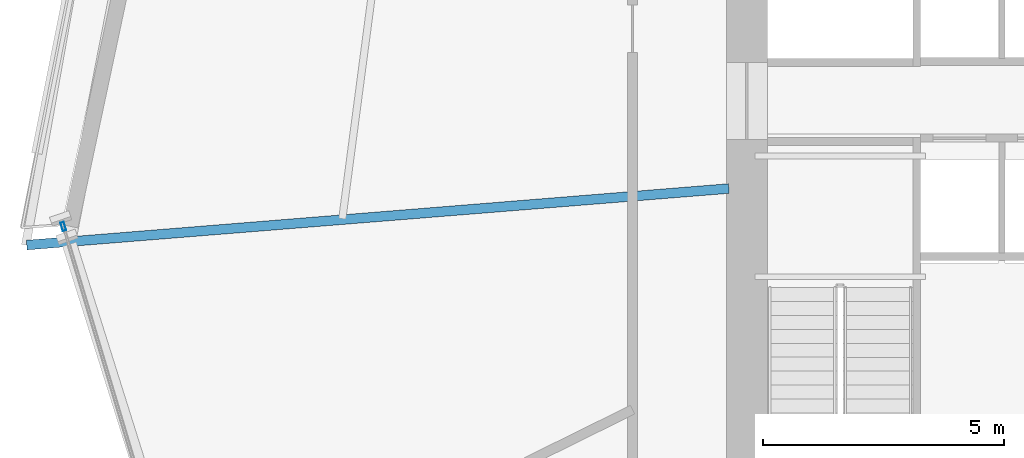
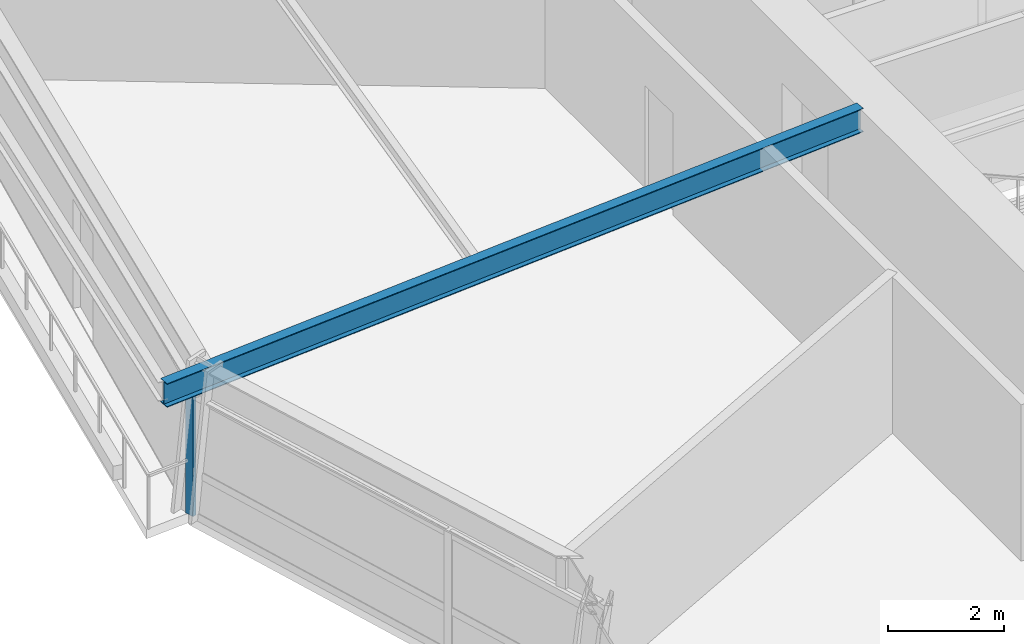
# One storey, part 6 of 22: 1 beam, 1 member, 1 element without a shape of its own.
"""IFC4 building model written with IfcOpenShell, lengths in metres."""

from ifc_helpers import new_model, si_unit, direction, frame, origin, origin_2d, place, context, subcontext, project, spatial, hollow_rectangle, i_section, extrude, source, transform, mapped, material, material_profile, profile_set, type_object, element, aggregate, save


model = new_model("IFC4")

# Units and contexts
model_context = context("Model", 3, precision=1e-05, world=origin(), true_north=direction((0.0, 1.0)))
body_context = subcontext(model_context, "Body", "Model", "MODEL_VIEW")
ifc_project = project(units=[si_unit("LENGTHUNIT", "METRE"), si_unit("AREAUNIT", "SQUARE_METRE"), si_unit("VOLUMEUNIT", "CUBIC_METRE"), si_unit("PLANEANGLEUNIT", "RADIAN"), si_unit("MASSUNIT", "GRAM", prefix="KILO")], contexts=[model_context])

# Site, building, storey
site_placement = place(None, origin())
site = spatial("IfcSite", under=ifc_project, at=site_placement, CompositionType="ELEMENT")
building_placement = place(site_placement, origin())
building = spatial("IfcBuilding", under=site, at=building_placement, Name="Olszyna Solenne Hotel", CompositionType="ELEMENT")
storey_placement = place(building_placement, frame((0.0, 0.0, 50.60009765625)))
storey = spatial("IfcBuildingStorey", under=building, at=storey_placement, Name="L12", CompositionType="ELEMENT", Elevation=50.60009765625)

# Beam
ifc_material_1 = material(Name="Steel S355J2", Category="steel")
ifc_material_profile_1 = material_profile(ifc_material_1, i_section(OverallWidth=0.199951171875, OverallDepth=0.5, WebThickness=0.01025390625, FlangeThickness=0.01611328125, at=origin_2d()), Name="IPE 500", Category="load-bearing")
ifc_profile_set_1 = profile_set([ifc_material_profile_1], Name="Steel S355J2")
beam_type = type_object("IfcBeamType", Name="BM-F3", PredefinedType="BEAM", material=ifc_profile_set_1)
shared_shape_1 = source(origin(), body_context, "Body", "SweptSolid", [
    extrude(i_section(OverallWidth=0.199951171875, OverallDepth=0.5, WebThickness=0.01025390625, FlangeThickness=0.01611328125, at=origin_2d()), origin(), (0.0, 0.0, 1.0), 14.621826171875),
])
beam_placement = place(storey_placement, frame((14.72509765625, 24.728759765625, 3.0498046875), z_axis=(0.996772451097, 0.080278768885, 0.0), x_axis=(-0.080278768885, 0.996772451097, 0.0)))
element("IfcBeam", 1, at=beam_placement, inside=storey, type_object=beam_type, Name="Radial floor girder BM-F3 B-L12-0394", PredefinedType="BEAM", context=body_context, shape_type="MappedRepresentation", body=[
    mapped(shared_shape_1, transform((0.0, 0.0, 0.0), x_axis=(1.0, 0.0, 0.0), y_axis=(0.0, 1.0, 0.0), z_axis=(0.0, 0.0, 1.0), scale=1.0)),
])

# Curtain wall, member
ifc_material_2 = material(Name="Anodised bronze aluminium", Category="aluminium")
curtain_wall_type = type_object("IfcCurtainWallType", Name="CW-SYS-2", PredefinedType="NOTDEFINED", material=ifc_material_2)
curtain_wall_placement = place(storey_placement, origin())
curtain_wall = element("IfcCurtainWall", 2, at=curtain_wall_placement, inside=storey, type_object=curtain_wall_type, Name="Unitised curtain wall CW-SYS-2 CW-L12-01", PredefinedType="NOTDEFINED")
ifc_material_profile_2 = material_profile(ifc_material_2, hollow_rectangle(XDim=0.074951171875, YDim=0.179931640625, WallThickness=0.00439453125, at=origin_2d()), Name="MULL 180x75x4.5", Category="load-bearing")
ifc_profile_set_2 = profile_set([ifc_material_profile_2], Name="Anodised bronze aluminium")
member_type = type_object("IfcMemberType", Name="CW-M2", PredefinedType="MULLION", material=ifc_profile_set_2)
shared_shape_2 = source(origin(), body_context, "Body", "SweptSolid", [
    extrude(hollow_rectangle(XDim=0.074951171875, YDim=0.179931640625, WallThickness=0.00439453125, at=origin_2d()), origin(), (0.0, 0.0, 1.0), 2.591796875),
])
member_placement = place(storey_placement, frame((15.4833984375, 25.11474609375, 0.0), z_axis=(0.0, 0.0, 1.0), x_axis=(0.957793182379, 0.287458205291, 0.0)))
member = element("IfcMember", 3, at=member_placement, type_object=member_type, Name="Curtain-wall mullion CW-M2 CM-L12-01-01", PredefinedType="MULLION", context=body_context, shape_type="MappedRepresentation", body=[
    mapped(shared_shape_2, transform((0.0, 0.0, 0.0), x_axis=(1.0, 0.0, 0.0), y_axis=(0.0, 1.0, 0.0), z_axis=(0.0, 0.0, 1.0), scale=1.0)),
])
aggregate(curtain_wall, [member])

save(model, "model.ifc")
